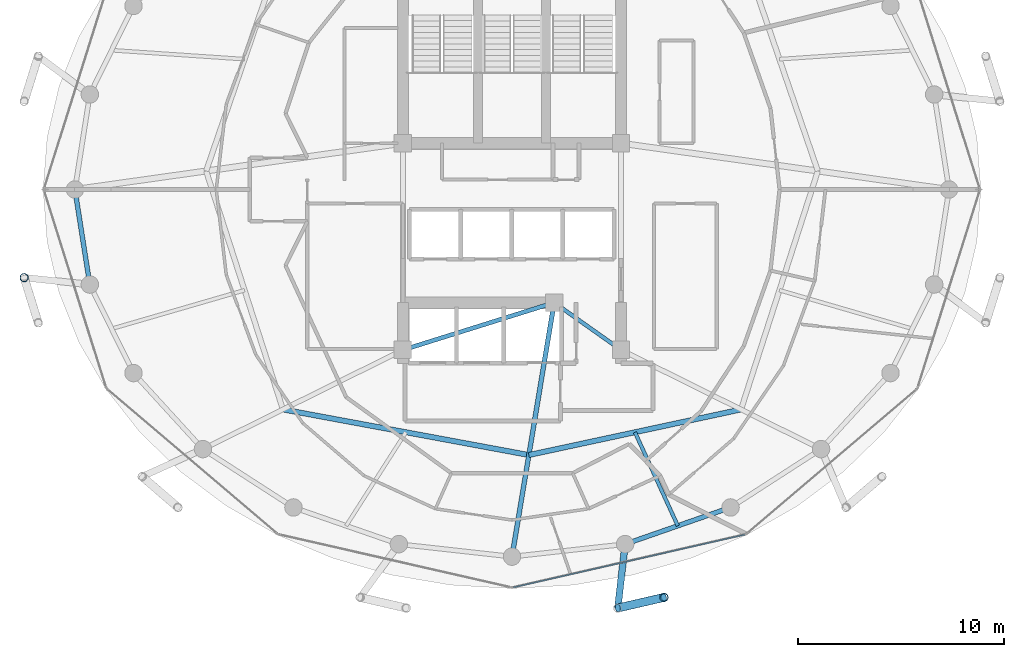
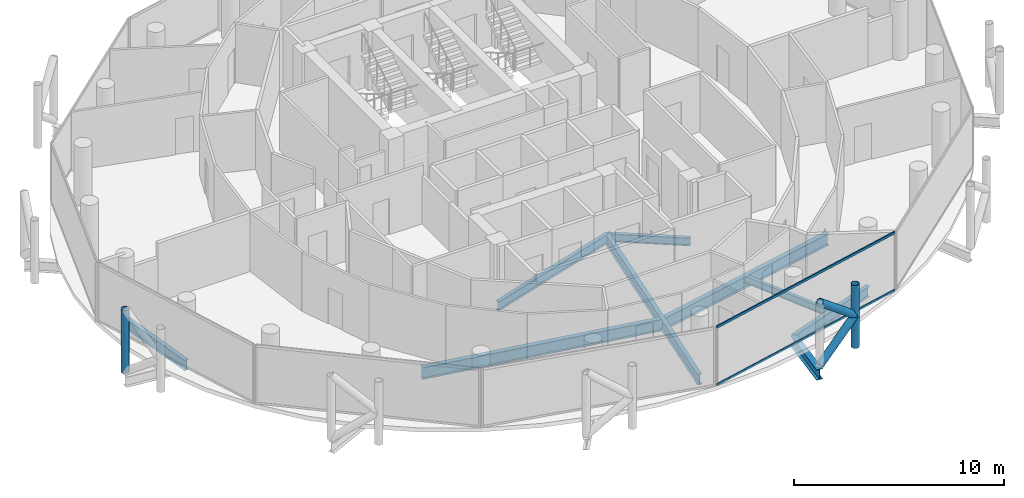
# One storey, part 6 of 28: 9 beams, 6 members, 1 element without a shape of its own.
"""IFC4 building model written with IfcOpenShell, lengths in metres."""

from ifc_helpers import new_model, si_unit, direction, frame, origin, origin_2d, place, context, subcontext, project, spatial, hollow_rectangle, hollow_circle, i_section, extrude, material, layer, layer_set, material_profile, profile_set, type_object, element, aggregate, save


model = new_model("IFC4")

# Units and contexts
model_context = context("Model", 3, precision=1e-05, world=origin(), true_north=direction((0.0, 1.0)))
body_context = subcontext(model_context, "Body", "Model", "MODEL_VIEW")
ifc_project = project(units=[si_unit("LENGTHUNIT", "METRE"), si_unit("AREAUNIT", "SQUARE_METRE"), si_unit("VOLUMEUNIT", "CUBIC_METRE"), si_unit("PLANEANGLEUNIT", "RADIAN"), si_unit("MASSUNIT", "GRAM", prefix="KILO")], contexts=[model_context])

# Site, building, storey
site_placement = place(None, origin())
site = spatial("IfcSite", under=ifc_project, at=site_placement, CompositionType="ELEMENT")
building_placement = place(site_placement, origin())
building = spatial("IfcBuilding", under=site, at=building_placement, Name="Nuhasar Tower", CompositionType="ELEMENT")
storey_placement = place(building_placement, frame((0.0, 0.0, 222.75)))
storey = spatial("IfcBuildingStorey", under=building, at=storey_placement, Name="L54", CompositionType="ELEMENT", Elevation=222.75)

# Beams
ifc_material_1 = material(Name="Steel S355", Category="steel")
ifc_material_profile_1 = material_profile(ifc_material_1, i_section(OverallWidth=0.25390625, OverallDepth=0.68408203125, WebThickness=0.012451171875, FlangeThickness=0.018798828125, at=origin_2d()), Name="W27X94")
ifc_profile_set_1 = profile_set([ifc_material_profile_1], Name="Steel S355")
beam_type_1 = type_object("IfcBeamType", Name="BM-INRING-W27X94", PredefinedType="BEAM", material=ifc_profile_set_1)
beam_1_placement = place(storey_placement, frame((27.864013671875, 16.10693359375, -0.58203125), z_axis=(0.983238439987, -0.182324354193, 0.0), x_axis=(0.182324354193, 0.983238439987, 0.0)))
element("IfcBeam", 1, at=beam_1_placement, inside=storey, type_object=beam_type_1, Name="L54 Inner Header Beam 01", PredefinedType="BEAM", context=body_context, shape_type="SweptSolid", body=[
    extrude(i_section(OverallWidth=0.25390625, OverallDepth=0.68408203125, WebThickness=0.012451171875, FlangeThickness=0.018798828125, at=origin_2d()), origin(), (0.0, 0.0, 1.0), 12.159912109375),
])
beam_2_placement = place(storey_placement, frame((39.820068359375, 13.889892578125, -0.58203125), z_axis=(0.977676275959, 0.210116870876, 0.0), x_axis=(-0.210116870876, 0.977676275959, 0.0)))
element("IfcBeam", 2, at=beam_2_placement, inside=storey, type_object=beam_type_1, Name="L54 Inner Header Beam 02", PredefinedType="BEAM", context=body_context, shape_type="SweptSolid", body=[
    extrude(i_section(OverallWidth=0.25390625, OverallDepth=0.68408203125, WebThickness=0.012451171875, FlangeThickness=0.018798828125, at=origin_2d()), origin(), (0.0, 0.0, 1.0), 10.551513671875),
])
ifc_material_profile_2 = material_profile(ifc_material_1, i_section(OverallWidth=0.177978515625, OverallDepth=0.406005859375, WebThickness=0.0078125, FlangeThickness=0.0126953125, at=origin_2d()), Name="W16X40")
ifc_profile_set_2 = profile_set([ifc_material_profile_2], Name="Steel S355")
beam_type_2 = type_object("IfcBeamType", Name="BM-JST-W16X40", PredefinedType="JOIST", material=ifc_profile_set_2)
beam_3_placement = place(storey_placement, frame((44.97802734375, 14.998046875, -0.443115234375), z_axis=(0.416562288184, -0.909107177434, 0.0), x_axis=(0.909107177434, 0.416562288184, 0.0)))
element("IfcBeam", 3, at=beam_3_placement, inside=storey, type_object=beam_type_2, Name="L54 Secondary Floor Joist 02", PredefinedType="JOIST", context=body_context, shape_type="SweptSolid", body=[
    extrude(i_section(OverallWidth=0.177978515625, OverallDepth=0.406005859375, WebThickness=0.0078125, FlangeThickness=0.0126953125, at=origin_2d()), origin(), (0.0, 0.0, 1.0), 5.0029296875),
])
ifc_material_profile_3 = material_profile(ifc_material_1, i_section(OverallWidth=0.18994140625, OverallDepth=0.45703125, WebThickness=0.009033203125, FlangeThickness=0.014404296875, at=origin_2d()), Name="W18X50")
ifc_profile_set_3 = profile_set([ifc_material_profile_3], Name="Steel S355")
beam_type_3 = type_object("IfcBeamType", Name="BM-RAD-W18X50", PredefinedType="BEAM", material=ifc_profile_set_3)
beam_4_placement = place(storey_placement, frame((41.050048828125, 21.300048828125, -0.468994140625), z_axis=(0.816265428953, -0.577677028708, 0.0), x_axis=(0.577677028708, 0.816265428953, 0.0)))
element("IfcBeam", 4, at=beam_4_placement, inside=storey, type_object=beam_type_3, Name="L54 Core Ring Girder 2", PredefinedType="BEAM", context=body_context, shape_type="SweptSolid", body=[
    extrude(i_section(OverallWidth=0.18994140625, OverallDepth=0.45703125, WebThickness=0.009033203125, FlangeThickness=0.014404296875, at=origin_2d()), origin(), (0.0, 0.0, 1.0), 3.9814453125),
])
ifc_material_profile_4 = material_profile(ifc_material_1, i_section(OverallWidth=0.208984375, OverallDepth=0.528076171875, WebThickness=0.009521484375, FlangeThickness=0.01318359375, at=origin_2d()), Name="W21X55")
ifc_profile_set_4 = profile_set([ifc_material_profile_4], Name="Steel S355")
beam_type_4 = type_object("IfcBeamType", Name="BM-RAD-W21X55", PredefinedType="BEAM", material=ifc_profile_set_4)
beam_5_placement = place(storey_placement, frame((33.699951171875, 19.0, -0.50390625), z_axis=(0.954363709454, 0.298646798205, 0.0), x_axis=(-0.298646798205, 0.954363709454, 0.0)))
element("IfcBeam", 5, at=beam_5_placement, inside=storey, type_object=beam_type_4, Name="L54 Core Ring Girder 1", PredefinedType="BEAM", context=body_context, shape_type="SweptSolid", body=[
    extrude(i_section(OverallWidth=0.208984375, OverallDepth=0.528076171875, WebThickness=0.009521484375, FlangeThickness=0.01318359375, at=origin_2d()), origin(), (0.0, 0.0, 1.0), 7.70166015625),
])
ifc_material_profile_5 = material_profile(ifc_material_1, i_section(OverallWidth=0.22900390625, OverallDepth=0.612060546875, WebThickness=0.011962890625, FlangeThickness=0.01953125, at=origin_2d()), Name="W24X84")
ifc_profile_set_5 = profile_set([ifc_material_profile_5], Name="Steel S355")
beam_type_5 = type_object("IfcBeamType", Name="BM-RAD-W24X84", PredefinedType="BEAM", material=ifc_profile_set_5)
beam_6_placement = place(storey_placement, frame((41.050048828125, 21.300048828125, -0.5458984375), z_axis=(-0.163753822517, -0.98650123447, 0.0), x_axis=(0.98650123447, -0.163753822517, 0.0)))
element("IfcBeam", 6, at=beam_6_placement, inside=storey, type_object=beam_type_5, Name="L54 Radial Floor Girder 02", PredefinedType="BEAM", context=body_context, shape_type="SweptSolid", body=[
    extrude(i_section(OverallWidth=0.22900390625, OverallDepth=0.612060546875, WebThickness=0.011962890625, FlangeThickness=0.01953125, at=origin_2d()), origin(), (0.0, 0.0, 1.0), 12.51904296875),
])
ifc_material_profile_6 = material_profile(ifc_material_1, i_section(OverallWidth=0.22802734375, OverallDepth=0.60791015625, WebThickness=0.01123046875, FlangeThickness=0.017333984375, at=origin_2d()), Name="W24X76")
ifc_profile_set_6 = profile_set([ifc_material_profile_6], Name="Steel S355")
beam_type_6 = type_object("IfcBeamType", Name="BM-RING-W24X76", PredefinedType="SPANDREL", material=ifc_profile_set_6)
beam_7_placement = place(storey_placement, frame((17.75, 26.800048828125, -0.5439453125), z_axis=(0.154841886404, -0.987939264436, 0.0), x_axis=(0.987939264436, 0.154841886404, 0.0)))
element("IfcBeam", 7, at=beam_7_placement, inside=storey, type_object=beam_type_6, Name="L54 Perimeter Ring Spandrel 13", PredefinedType="SPANDREL", context=body_context, shape_type="SweptSolid", body=[
    extrude(i_section(OverallWidth=0.22802734375, OverallDepth=0.60791015625, WebThickness=0.01123046875, FlangeThickness=0.017333984375, at=origin_2d()), origin(), (0.0, 0.0, 1.0), 4.676513671875),
])
beam_8_placement = place(storey_placement, frame((44.5, 9.55810546875, -0.5439453125), z_axis=(0.944476764686, 0.328578211342, 0.0), x_axis=(-0.328578211342, 0.944476764686, 0.0)))
element("IfcBeam", 8, at=beam_8_placement, inside=storey, type_object=beam_type_6, Name="L54 Perimeter Ring Spandrel 20", PredefinedType="SPANDREL", context=body_context, shape_type="SweptSolid", body=[
    extrude(i_section(OverallWidth=0.22802734375, OverallDepth=0.60791015625, WebThickness=0.01123046875, FlangeThickness=0.017333984375, at=origin_2d()), origin(), (0.0, 0.0, 1.0), 5.42626953125),
])
ifc_material_profile_7 = material_profile(ifc_material_1, i_section(OverallWidth=0.323974609375, OverallDepth=0.611083984375, WebThickness=0.0126953125, FlangeThickness=0.01904296875, at=origin_2d()), Name="W24X104")
ifc_profile_set_7 = profile_set([ifc_material_profile_7], Name="Steel S355")
beam_type_7 = type_object("IfcBeamType", Name="BM-TIE-W24X104", PredefinedType="BEAM", material=ifc_profile_set_7)
beam_9_placement = place(storey_placement, frame((44.5, 9.55810546875, -0.5458984375), z_axis=(-0.114123371392, -0.993466585297, 0.0), x_axis=(0.993466585297, -0.114123371392, 0.0)))
element("IfcBeam", 9, at=beam_9_placement, inside=storey, type_object=beam_type_7, Name="L54 Exoskeleton Node Tie Beam 10", PredefinedType="BEAM", context=body_context, shape_type="SweptSolid", body=[
    extrude(i_section(OverallWidth=0.323974609375, OverallDepth=0.611083984375, WebThickness=0.0126953125, FlangeThickness=0.01904296875, at=origin_2d()), origin(), (0.0, 0.0, 1.0), 3.127685546875),
])

# Curtain wall, members
ifc_material_2 = material(Name="Aluminium 6063-T6", Category="aluminium")
ifc_layer = layer(ifc_material_2, 0.18994140625)
ifc_layer_set = layer_set([ifc_layer], Name="Aluminium 6063-T6")
curtain_wall_type = type_object("IfcCurtainWallType", Name="CW-Z3-RES", PredefinedType="NOTDEFINED", material=ifc_layer_set)
curtain_wall_placement = place(storey_placement, origin())
curtain_wall = element("IfcCurtainWall", 10, at=curtain_wall_placement, inside=storey, type_object=curtain_wall_type, Name="L54 Unitised Curtain Wall 10", PredefinedType="NOTDEFINED")
ifc_material_profile_8 = material_profile(ifc_material_2, hollow_rectangle(XDim=0.06494140625, YDim=0.139892578125, WallThickness=0.00439453125, at=origin_2d()), Name="CWT-4")
ifc_profile_set_8 = profile_set([ifc_material_profile_8], Name="Aluminium 6063-T6")
member_type_1 = type_object("IfcMemberType", Name="CW-TRN-S4", PredefinedType="USERDEFINED", material=ifc_profile_set_8)
member_1_placement = place(storey_placement, frame((39.0634765625, 7.454345703125, 0.032470703125), z_axis=(0.974989487479, 0.222250982686, 0.0), x_axis=(-0.222250982686, 0.974989487479, 0.0)))
member_1 = element("IfcMember", 11, at=member_1_placement, type_object=member_type_1, Name="CW-Z3 transom 1.1", ObjectType="TRANSOM", PredefinedType="USERDEFINED", context=body_context, shape_type="SweptSolid", body=[
    extrude(hollow_rectangle(XDim=0.06494140625, YDim=0.139892578125, WallThickness=0.00439453125, at=origin_2d()), origin(), (0.0, 0.0, 1.0), 11.541748046875),
])
member_2_placement = place(storey_placement, frame((39.0634765625, 7.454345703125, 3.37744140625), z_axis=(0.974989487479, 0.222250982686, 0.0), x_axis=(-0.222250982686, 0.974989487479, 0.0)))
member_2 = element("IfcMember", 12, at=member_2_placement, type_object=member_type_1, Name="CW-Z3 transom 1.2", ObjectType="TRANSOM", PredefinedType="USERDEFINED", context=body_context, shape_type="SweptSolid", body=[
    extrude(hollow_rectangle(XDim=0.06494140625, YDim=0.139892578125, WallThickness=0.00439453125, at=origin_2d()), origin(), (0.0, 0.0, 1.0), 11.541748046875),
])
aggregate(curtain_wall, [member_1, member_2])

# Members
ifc_material_3 = material(Name="Steel S460", Category="steel")
ifc_material_profile_9 = material_profile(ifc_material_3, hollow_circle(Radius=0.203125, WallThickness=0.01904296875, at=origin_2d()), Name="HSS406.4X19.1")
ifc_profile_set_9 = profile_set([ifc_material_profile_9], Name="Steel S460")
member_type_2 = type_object("IfcMemberType", Name="EXO-BRONZE-406", PredefinedType="BRACE", material=ifc_profile_set_9)
for number, where, z_axis, x_axis, name in (
    (13, (15.281982421875, 22.513916015625, 0.0), (0.0, 0.0, 1.0), (1.0, 0.0, 0.0), "L54 Exoskeleton Chord Column EC-07A"),
    (14, (46.384033203125, 6.967041015625, 0.0), (0.0, 0.0, 1.0), (1.0, 0.0, 0.0), "L54 Exoskeleton Chord Column EC-10B"),
):
    element("IfcMember", number, at=place(storey_placement, frame(where, z_axis=z_axis, x_axis=x_axis)), inside=storey, type_object=member_type_2, Name=name, PredefinedType="BRACE", context=body_context, shape_type="SweptSolid", body=[
        extrude(hollow_circle(Radius=0.203125, WallThickness=0.01904296875, at=origin_2d()), origin(), (0.0, 0.0, 1.0), 3.64990234375),
    ])
for number, where, z_axis, x_axis, name in (
    (15, (44.14306640625, 6.450927734375, 0.0), (0.76333158458, 0.175801609086, 0.621625841021), (-0.224433035437, 0.97448951385, 0.0), "L54 Bronze Diagrid Brace W1-10"),
    (16, (46.384033203125, 6.967041015625, 1.824951171875), (-0.76333158458, -0.175801609086, 0.621625841021), (0.224433035437, -0.97448951385, 0.0), "L54 Bronze Diagrid Brace W2-10"),
):
    element("IfcMember", number, at=place(storey_placement, frame(where, z_axis=z_axis, x_axis=x_axis)), inside=storey, type_object=member_type_2, Name=name, PredefinedType="BRACE", context=body_context, shape_type="SweptSolid", body=[
        extrude(hollow_circle(Radius=0.203125, WallThickness=0.01904296875, at=origin_2d()), origin(), (0.0, 0.0, 1.0), 2.935791015625),
    ])

save(model, "model.ifc")
